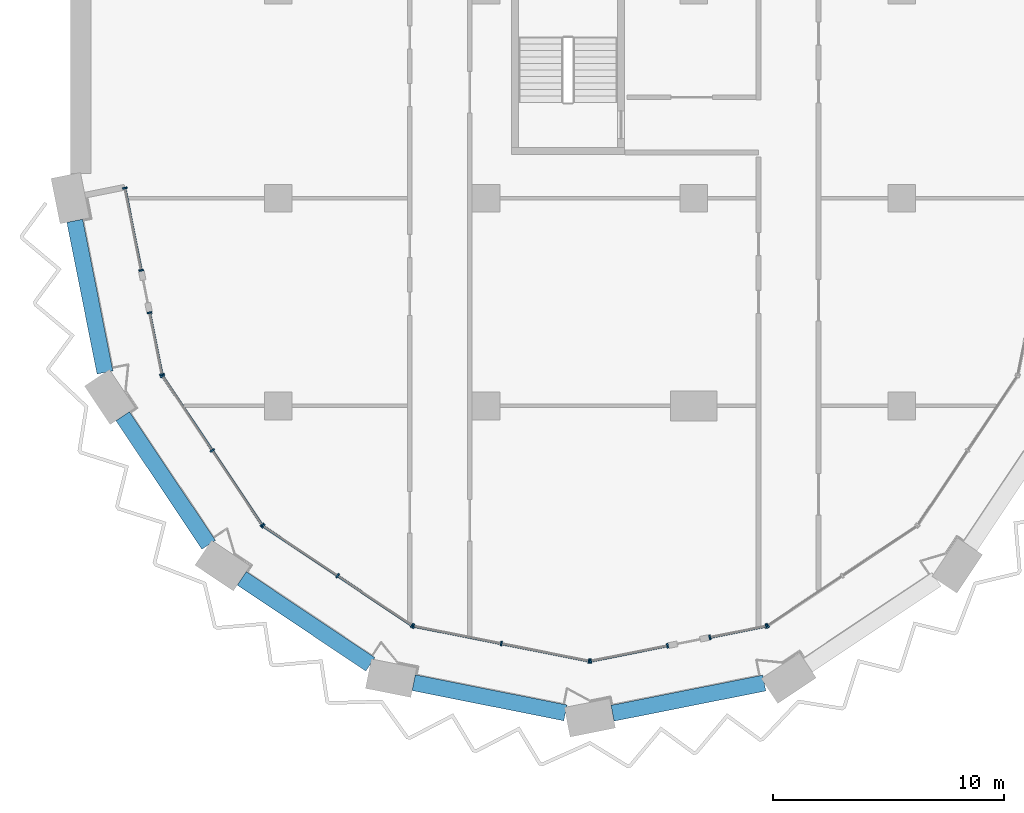
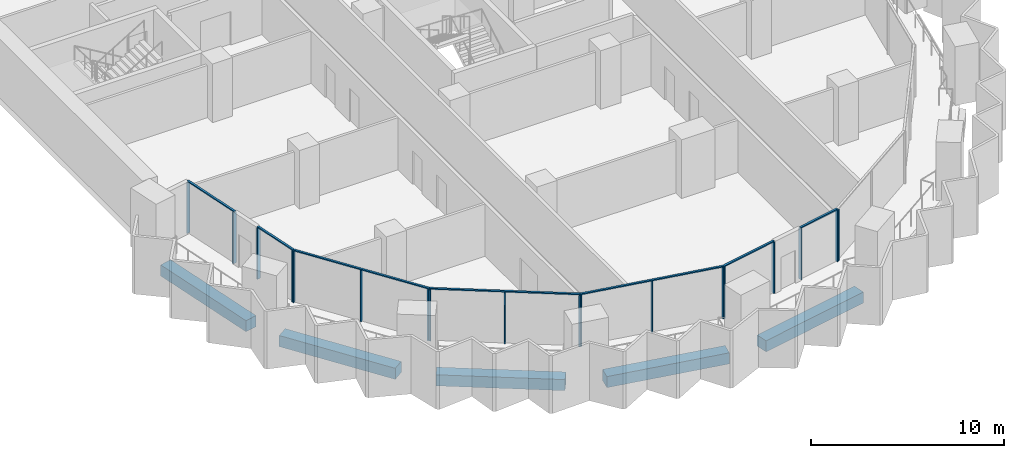
# One storey, part 2 of 22: 25 members, 5 beams, 8 elements without a shape of their own.
"""IFC4 building model written with IfcOpenShell, lengths in metres."""

from ifc_helpers import new_model, si_unit, direction, frame, origin, origin_2d, place, context, subcontext, project, spatial, rectangle, extrude, material, material_profile, profile_set, type_object, element, aggregate, save


model = new_model("IFC4")

# Units and contexts
model_context = context("Model", 3, precision=1e-05, world=origin(), true_north=direction((0.0, 1.0)))
body_context = subcontext(model_context, "Body", "Model", "MODEL_VIEW")
ifc_project = project(units=[si_unit("LENGTHUNIT", "METRE"), si_unit("AREAUNIT", "SQUARE_METRE"), si_unit("VOLUMEUNIT", "CUBIC_METRE"), si_unit("PLANEANGLEUNIT", "RADIAN"), si_unit("MASSUNIT", "GRAM", prefix="KILO")], contexts=[model_context])

# Site, building, storey
site_placement = place(None, origin())
site = spatial("IfcSite", under=ifc_project, at=site_placement, CompositionType="ELEMENT")
building_placement = place(site_placement, origin())
building = spatial("IfcBuilding", under=site, at=building_placement, Name="Hunhe Ridgeline Campus", CompositionType="ELEMENT")
storey_placement = place(building_placement, frame((0.0, 0.0, 163.39990234375)))
storey = spatial("IfcBuildingStorey", under=building, at=storey_placement, Name="L41", CompositionType="ELEMENT", Elevation=163.39990234375)

# Curtain wall, members
ifc_material_1 = material(Name="Aluminium 6063", Category="aluminium")
curtain_wall_type = type_object("IfcCurtainWallType", Name="Curtain wall CW-5", PredefinedType="NOTDEFINED", material=ifc_material_1)
curtain_wall_1_placement = place(storey_placement, origin())
curtain_wall_1 = element("IfcCurtainWall", 1, at=curtain_wall_1_placement, inside=storey, type_object=curtain_wall_type, Name="Curtain wall 01", PredefinedType="NOTDEFINED")
ifc_material_profile_1 = material_profile(ifc_material_1, rectangle(XDim=0.199951171875, YDim=0.070068359375, at=origin_2d()))
ifc_profile_set_1 = profile_set([ifc_material_profile_1], Name="Aluminium 6063")
member_type_1 = type_object("IfcMemberType", Name="CW-5 aluminium mullion", PredefinedType="MULLION", material=ifc_profile_set_1)
member_1_placement = place(storey_placement, frame((2.361572265625, 27.434326171875, 0.0), z_axis=(0.0, 0.0, 1.0), x_axis=(0.980784284924, 0.195095326561, 0.0)))
member_1 = element("IfcMember", 2, at=member_1_placement, type_object=member_type_1, Name="CW-5 mullion 1", PredefinedType="MULLION", context=body_context, shape_type="SweptSolid", body=[
    extrude(rectangle(XDim=0.199951171875, YDim=0.070068359375, at=origin_2d()), origin(), (0.0, 0.0, 1.0), 3.22998046875),
])
member_2_placement = place(storey_placement, frame((3.070068359375, 23.873291015625, 0.0), z_axis=(0.0, 0.0, 1.0), x_axis=(0.980784284924, 0.195095326561, 0.0)))
member_2 = element("IfcMember", 3, at=member_2_placement, type_object=member_type_1, Name="CW-5 mullion 2", PredefinedType="MULLION", context=body_context, shape_type="SweptSolid", body=[
    extrude(rectangle(XDim=0.199951171875, YDim=0.070068359375, at=origin_2d()), origin(), (0.0, 0.0, 1.0), 3.22998046875),
])

curtain_wall_2_placement = place(storey_placement, origin())
curtain_wall_2 = element("IfcCurtainWall", 4, at=curtain_wall_2_placement, inside=storey, type_object=curtain_wall_type, Name="Curtain wall 02", PredefinedType="NOTDEFINED")
member_3_placement = place(storey_placement, frame((3.434814453125, 22.0390625, 0.0), z_axis=(0.0, 0.0, 1.0), x_axis=(0.980784297053, 0.195095265587, 0.0)))
member_3 = element("IfcMember", 5, at=member_3_placement, type_object=member_type_1, Name="CW-5 mullion 1", PredefinedType="MULLION", context=body_context, shape_type="SweptSolid", body=[
    extrude(rectangle(XDim=0.199951171875, YDim=0.070068359375, at=origin_2d()), origin(), (0.0, 0.0, 1.0), 3.22998046875),
])
member_4_placement = place(storey_placement, frame((3.967529296875, 19.36083984375, 0.0), z_axis=(0.0, 0.0, 1.0), x_axis=(0.980784297053, 0.195095265587, 0.0)))
member_4 = element("IfcMember", 6, at=member_4_placement, type_object=member_type_1, Name="CW-5 mullion 2", PredefinedType="MULLION", context=body_context, shape_type="SweptSolid", body=[
    extrude(rectangle(XDim=0.199951171875, YDim=0.070068359375, at=origin_2d()), origin(), (0.0, 0.0, 1.0), 3.22998046875),
])

curtain_wall_3_placement = place(storey_placement, origin())
curtain_wall_3 = element("IfcCurtainWall", 7, at=curtain_wall_3_placement, inside=storey, type_object=curtain_wall_type, Name="Curtain wall 03", PredefinedType="NOTDEFINED")
member_5_placement = place(storey_placement, frame((3.993896484375, 19.29736328125, 0.0), z_axis=(0.0, 0.0, 1.0), x_axis=(0.831469584522, 0.555570274596, 0.0)))
member_5 = element("IfcMember", 8, at=member_5_placement, type_object=member_type_1, Name="CW-5 mullion 1", PredefinedType="MULLION", context=body_context, shape_type="SweptSolid", body=[
    extrude(rectangle(XDim=0.199951171875, YDim=0.070068359375, at=origin_2d()), origin(), (0.0, 0.0, 1.0), 3.22998046875),
])
member_6_placement = place(storey_placement, frame((6.147705078125, 16.07373046875, 0.0), z_axis=(0.0, 0.0, 1.0), x_axis=(0.831469584522, 0.555570274596, 0.0)))
member_6 = element("IfcMember", 9, at=member_6_placement, type_object=member_type_1, Name="CW-5 mullion 2", PredefinedType="MULLION", context=body_context, shape_type="SweptSolid", body=[
    extrude(rectangle(XDim=0.199951171875, YDim=0.070068359375, at=origin_2d()), origin(), (0.0, 0.0, 1.0), 3.22998046875),
])
member_7_placement = place(storey_placement, frame((8.3017578125, 12.850341796875, 0.0), z_axis=(0.0, 0.0, 1.0), x_axis=(0.831469584522, 0.555570274596, 0.0)))
member_7 = element("IfcMember", 10, at=member_7_placement, type_object=member_type_1, Name="CW-5 mullion 3", PredefinedType="MULLION", context=body_context, shape_type="SweptSolid", body=[
    extrude(rectangle(XDim=0.199951171875, YDim=0.070068359375, at=origin_2d()), origin(), (0.0, 0.0, 1.0), 3.22998046875),
])

curtain_wall_4_placement = place(storey_placement, origin())
curtain_wall_4 = element("IfcCurtainWall", 11, at=curtain_wall_4_placement, inside=storey, type_object=curtain_wall_type, Name="Curtain wall 04", PredefinedType="NOTDEFINED")
member_8_placement = place(storey_placement, frame((8.350341796875, 12.8017578125, 0.0), z_axis=(0.0, 0.0, 1.0), x_axis=(0.555570274596, 0.831469584522, 0.0)))
member_8 = element("IfcMember", 12, at=member_8_placement, type_object=member_type_1, Name="CW-5 mullion 1", PredefinedType="MULLION", context=body_context, shape_type="SweptSolid", body=[
    extrude(rectangle(XDim=0.199951171875, YDim=0.070068359375, at=origin_2d()), origin(), (0.0, 0.0, 1.0), 3.22998046875),
])
member_9_placement = place(storey_placement, frame((11.57373046875, 10.647705078125, 0.0), z_axis=(0.0, 0.0, 1.0), x_axis=(0.555570274596, 0.831469584522, 0.0)))
member_9 = element("IfcMember", 13, at=member_9_placement, type_object=member_type_1, Name="CW-5 mullion 2", PredefinedType="MULLION", context=body_context, shape_type="SweptSolid", body=[
    extrude(rectangle(XDim=0.199951171875, YDim=0.070068359375, at=origin_2d()), origin(), (0.0, 0.0, 1.0), 3.22998046875),
])
member_10_placement = place(storey_placement, frame((14.79736328125, 8.493896484375, 0.0), z_axis=(0.0, 0.0, 1.0), x_axis=(0.555570274596, 0.831469584522, 0.0)))
member_10 = element("IfcMember", 14, at=member_10_placement, type_object=member_type_1, Name="CW-5 mullion 3", PredefinedType="MULLION", context=body_context, shape_type="SweptSolid", body=[
    extrude(rectangle(XDim=0.199951171875, YDim=0.070068359375, at=origin_2d()), origin(), (0.0, 0.0, 1.0), 3.22998046875),
])

curtain_wall_5_placement = place(storey_placement, origin())
curtain_wall_5 = element("IfcCurtainWall", 15, at=curtain_wall_5_placement, inside=storey, type_object=curtain_wall_type, Name="Curtain wall 05", PredefinedType="NOTDEFINED")
member_11_placement = place(storey_placement, frame((14.86083984375, 8.467529296875, 0.0), z_axis=(0.0, 0.0, 1.0), x_axis=(0.195090347539, 0.980785275326, 0.0)))
member_11 = element("IfcMember", 16, at=member_11_placement, type_object=member_type_1, Name="CW-5 mullion 1", PredefinedType="MULLION", context=body_context, shape_type="SweptSolid", body=[
    extrude(rectangle(XDim=0.199951171875, YDim=0.070068359375, at=origin_2d()), origin(), (0.0, 0.0, 1.0), 3.22998046875),
])
member_12_placement = place(storey_placement, frame((18.663330078125, 7.711181640625, 0.0), z_axis=(0.0, 0.0, 1.0), x_axis=(0.195090347539, 0.980785275326, 0.0)))
member_12 = element("IfcMember", 17, at=member_12_placement, type_object=member_type_1, Name="CW-5 mullion 2", PredefinedType="MULLION", context=body_context, shape_type="SweptSolid", body=[
    extrude(rectangle(XDim=0.199951171875, YDim=0.070068359375, at=origin_2d()), origin(), (0.0, 0.0, 1.0), 3.22998046875),
])
member_13_placement = place(storey_placement, frame((22.465576171875, 6.954833984375, 0.0), z_axis=(0.0, 0.0, 1.0), x_axis=(0.195090347539, 0.980785275326, 0.0)))
member_13 = element("IfcMember", 18, at=member_13_placement, type_object=member_type_1, Name="CW-5 mullion 3", PredefinedType="MULLION", context=body_context, shape_type="SweptSolid", body=[
    extrude(rectangle(XDim=0.199951171875, YDim=0.070068359375, at=origin_2d()), origin(), (0.0, 0.0, 1.0), 3.22998046875),
])

curtain_wall_6_placement = place(storey_placement, origin())
curtain_wall_6 = element("IfcCurtainWall", 19, at=curtain_wall_6_placement, inside=storey, type_object=curtain_wall_type, Name="Curtain wall 06", PredefinedType="NOTDEFINED")
member_14_placement = place(storey_placement, frame((22.534423828125, 6.954833984375, 0.0), z_axis=(0.0, 0.0, 1.0), x_axis=(-0.19509037034, 0.980785270791, 0.0)))
member_14 = element("IfcMember", 20, at=member_14_placement, type_object=member_type_1, Name="CW-5 mullion 1", PredefinedType="MULLION", context=body_context, shape_type="SweptSolid", body=[
    extrude(rectangle(XDim=0.199951171875, YDim=0.070068359375, at=origin_2d()), origin(), (0.0, 0.0, 1.0), 3.22998046875),
])
member_15_placement = place(storey_placement, frame((25.861083984375, 7.61669921875, 0.0), z_axis=(0.0, 0.0, 1.0), x_axis=(-0.19509037034, 0.980785270791, 0.0)))
member_15 = element("IfcMember", 21, at=member_15_placement, type_object=member_type_1, Name="CW-5 mullion 2", PredefinedType="MULLION", context=body_context, shape_type="SweptSolid", body=[
    extrude(rectangle(XDim=0.199951171875, YDim=0.070068359375, at=origin_2d()), origin(), (0.0, 0.0, 1.0), 3.22998046875),
])

curtain_wall_7_placement = place(storey_placement, origin())
curtain_wall_7 = element("IfcCurtainWall", 22, at=curtain_wall_7_placement, inside=storey, type_object=curtain_wall_type, Name="Curtain wall 07", PredefinedType="NOTDEFINED")
member_16_placement = place(storey_placement, frame((27.695068359375, 7.9814453125, 0.0), z_axis=(0.0, 0.0, 1.0), x_axis=(-0.195090514627, 0.980785242091, 0.0)))
member_16 = element("IfcMember", 23, at=member_16_placement, type_object=member_type_1, Name="CW-5 mullion 1", PredefinedType="MULLION", context=body_context, shape_type="SweptSolid", body=[
    extrude(rectangle(XDim=0.199951171875, YDim=0.070068359375, at=origin_2d()), origin(), (0.0, 0.0, 1.0), 3.22998046875),
])
member_17_placement = place(storey_placement, frame((30.13916015625, 8.467529296875, 0.0), z_axis=(0.0, 0.0, 1.0), x_axis=(-0.195090514627, 0.980785242091, 0.0)))
member_17 = element("IfcMember", 24, at=member_17_placement, type_object=member_type_1, Name="CW-5 mullion 2", PredefinedType="MULLION", context=body_context, shape_type="SweptSolid", body=[
    extrude(rectangle(XDim=0.199951171875, YDim=0.070068359375, at=origin_2d()), origin(), (0.0, 0.0, 1.0), 3.22998046875),
])

# Curtain wall, member
curtain_wall_8_placement = place(storey_placement, origin())
curtain_wall_8 = element("IfcCurtainWall", 25, at=curtain_wall_8_placement, inside=storey, type_object=curtain_wall_type, Name="Curtain wall 08", PredefinedType="NOTDEFINED")
member_18_placement = place(storey_placement, frame((30.20263671875, 8.493896484375, 0.0), z_axis=(0.0, 0.0, 1.0), x_axis=(-0.555570274596, 0.831469584522, 0.0)))
member_18 = element("IfcMember", 26, at=member_18_placement, type_object=member_type_1, Name="CW-5 mullion 1", PredefinedType="MULLION", context=body_context, shape_type="SweptSolid", body=[
    extrude(rectangle(XDim=0.199951171875, YDim=0.070068359375, at=origin_2d()), origin(), (0.0, 0.0, 1.0), 3.22998046875),
])
aggregate(curtain_wall_8, [member_18])

# Member
ifc_material_profile_2 = material_profile(ifc_material_1, rectangle(XDim=0.1201171875, YDim=0.070068359375, at=origin_2d()))
ifc_profile_set_2 = profile_set([ifc_material_profile_2], Name="Aluminium 6063")
member_type_2 = type_object("IfcMemberType", Name="CW-5 aluminium transom", PredefinedType="USERDEFINED", material=ifc_profile_set_2)
member_19_placement = place(storey_placement, frame((2.354736328125, 27.46875, 3.26513671875), z_axis=(0.195126549745, -0.980778073564, 0.0), x_axis=(0.980778073564, 0.195126549745, 0.0)))
member_19 = element("IfcMember", 27, at=member_19_placement, type_object=member_type_2, Name="CW-5 transom 1", ObjectType="TRANSOM", PredefinedType="USERDEFINED", context=body_context, shape_type="SweptSolid", body=[
    extrude(rectangle(XDim=0.1201171875, YDim=0.070068359375, at=origin_2d()), origin(), (0.0, 0.0, 1.0), 3.700927734375),
])

aggregate(curtain_wall_1, [member_19, member_1, member_2])

member_20_placement = place(storey_placement, frame((3.427978515625, 22.073486328125, 3.26513671875), z_axis=(0.195076742145, -0.98078798151, 0.0), x_axis=(0.98078798151, 0.195076742145, 0.0)))
member_20 = element("IfcMember", 28, at=member_20_placement, type_object=member_type_2, Name="CW-5 transom 1", ObjectType="TRANSOM", PredefinedType="USERDEFINED", context=body_context, shape_type="SweptSolid", body=[
    extrude(rectangle(XDim=0.1201171875, YDim=0.070068359375, at=origin_2d()), origin(), (0.0, 0.0, 1.0), 2.80078125),
])

aggregate(curtain_wall_2, [member_20, member_3, member_4])

member_21_placement = place(storey_placement, frame((3.974365234375, 19.326416015625, 3.26513671875), z_axis=(0.5555640203, -0.831473763475, 0.0), x_axis=(0.831473763475, 0.5555640203, 0.0)))
member_21 = element("IfcMember", 29, at=member_21_placement, type_object=member_type_2, Name="CW-5 transom 1", ObjectType="TRANSOM", PredefinedType="USERDEFINED", context=body_context, shape_type="SweptSolid", body=[
    extrude(rectangle(XDim=0.1201171875, YDim=0.070068359375, at=origin_2d()), origin(), (0.0, 0.0, 1.0), 7.823974609375),
])

aggregate(curtain_wall_3, [member_21, member_5, member_6, member_7])

member_22_placement = place(storey_placement, frame((8.321044921875, 12.821044921875, 3.26513671875), z_axis=(0.831473763475, -0.5555640203, 0.0), x_axis=(0.5555640203, 0.831473763475, 0.0)))
member_22 = element("IfcMember", 30, at=member_22_placement, type_object=member_type_2, Name="CW-5 transom 1", ObjectType="TRANSOM", PredefinedType="USERDEFINED", context=body_context, shape_type="SweptSolid", body=[
    extrude(rectangle(XDim=0.1201171875, YDim=0.070068359375, at=origin_2d()), origin(), (0.0, 0.0, 1.0), 7.823974609375),
])

aggregate(curtain_wall_4, [member_22, member_8, member_9, member_10])

member_23_placement = place(storey_placement, frame((14.826416015625, 8.474365234375, 3.26513671875), z_axis=(0.980785367689, -0.195089883198, 0.0), x_axis=(0.195089883198, 0.980785367689, 0.0)))
member_23 = element("IfcMember", 31, at=member_23_placement, type_object=member_type_2, Name="CW-5 transom 1", ObjectType="TRANSOM", PredefinedType="USERDEFINED", context=body_context, shape_type="SweptSolid", body=[
    extrude(rectangle(XDim=0.1201171875, YDim=0.070068359375, at=origin_2d()), origin(), (0.0, 0.0, 1.0), 7.823974609375),
])

aggregate(curtain_wall_5, [member_23, member_11, member_12, member_13])

member_24_placement = place(storey_placement, frame((22.5, 6.947998046875, 3.26513671875), z_axis=(0.980778171596, 0.195126057004, 0.0), x_axis=(-0.195126057004, 0.980778171596, 0.0)))
member_24 = element("IfcMember", 32, at=member_24_placement, type_object=member_type_2, Name="CW-5 transom 1", ObjectType="TRANSOM", PredefinedType="USERDEFINED", context=body_context, shape_type="SweptSolid", body=[
    extrude(rectangle(XDim=0.1201171875, YDim=0.070068359375, at=origin_2d()), origin(), (0.0, 0.0, 1.0), 3.462158203125),
])

aggregate(curtain_wall_6, [member_24, member_14, member_15])

member_25_placement = place(storey_placement, frame((27.660888671875, 7.974609375, 3.26513671875), z_axis=(0.980789038007, 0.195071430315, 0.0), x_axis=(-0.195071430315, 0.980789038007, 0.0)))
member_25 = element("IfcMember", 33, at=member_25_placement, type_object=member_type_2, Name="CW-5 transom 1", ObjectType="TRANSOM", PredefinedType="USERDEFINED", context=body_context, shape_type="SweptSolid", body=[
    extrude(rectangle(XDim=0.1201171875, YDim=0.070068359375, at=origin_2d()), origin(), (0.0, 0.0, 1.0), 2.56201171875),
])

aggregate(curtain_wall_7, [member_25, member_16, member_17])

# Beams
ifc_material_2 = material(Name="Concrete C60", Category="concrete")
ifc_material_profile_3 = material_profile(ifc_material_2, rectangle(XDim=0.699951171875, YDim=0.699951171875, at=origin_2d()))
ifc_profile_set_3 = profile_set([ifc_material_profile_3], Name="Concrete C60")
beam_type = type_object("IfcBeamType", Name="RC spandrel beam 700x700 Concrete C60", PredefinedType="SPANDREL", material=ifc_profile_set_3)
for number, where, z_axis, x_axis, name in (
    (34, (0.195068359375, 26.019287109375, -0.599853515625), (0.195078418929, -0.980787647999, 0.0), (0.980787647999, 0.195078418929, 0.0), "Spandrel beam B2-1 L41"),
    (35, (2.268310546875, 17.55810546875, -0.599853515625), (0.555566447474, -0.831472141711, 0.0), (0.831472141711, 0.555566447474, 0.0), "Spandrel beam B2-2 L41"),
    (36, (7.421630859375, 10.534423828125, -0.599853515625), (0.831472141711, -0.555566447474, 0.0), (0.555566447474, 0.831472141711, 0.0), "Spandrel beam B2-3 L41"),
    (37, (14.870361328125, 6.017578125, -0.599853515625), (0.980787647999, -0.195078418929, 0.0), (0.195078418929, 0.980787647999, 0.0), "Spandrel beam B2-4 L41"),
    (38, (23.480712890625, 4.695068359375, -0.599853515625), (0.980787647999, 0.195078418929, 0.0), (-0.195078418929, 0.980787647999, 0.0), "Spandrel beam B2-5 L41"),
):
    element("IfcBeam", number, at=place(storey_placement, frame(where, z_axis=z_axis, x_axis=x_axis)), inside=storey, type_object=beam_type, Name=name, PredefinedType="SPANDREL", context=body_context, shape_type="SweptSolid", body=[
        extrude(rectangle(XDim=0.699951171875, YDim=0.699951171875, at=origin_2d()), origin(), (0.0, 0.0, 1.0), 6.69677734375),
    ])

save(model, "model.ifc")
